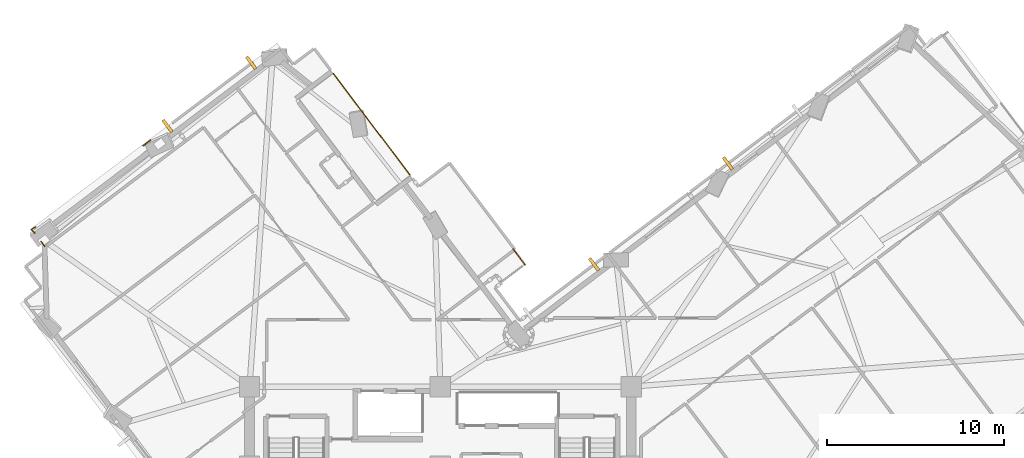
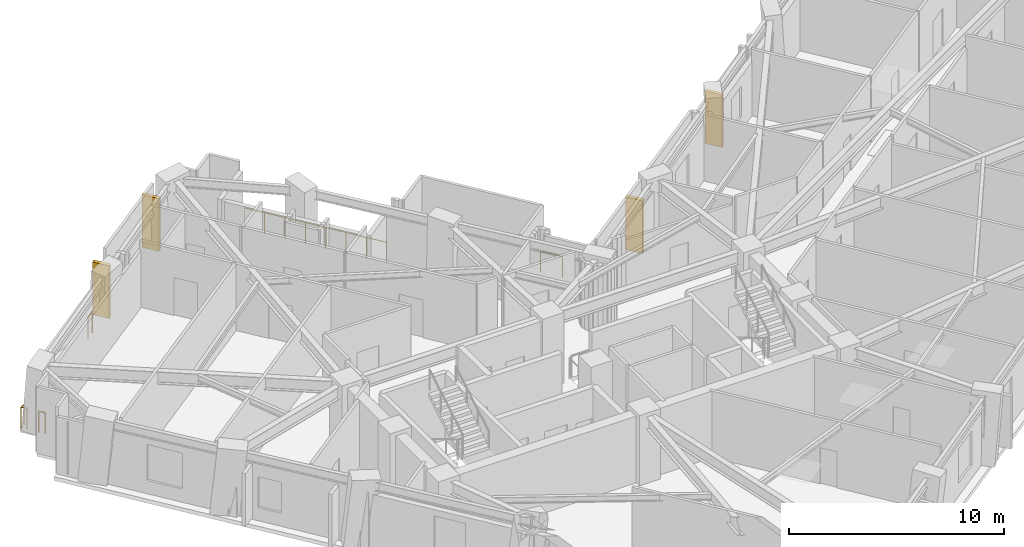
# One storey, part 14 of 15: 5 railings, 4 shading devices.
"""IFC4 building model written with IfcOpenShell, lengths in metres."""

from ifc_helpers import new_model, si_unit, direction, frame, origin, origin_2d, place, context, subcontext, project, spatial, rectangle, circle, extrude, material, layer, layer_set, type_object, element, save


model = new_model("IFC4")

# Units and contexts
model_context = context("Model", 3, precision=1e-05, world=origin(), true_north=direction((0.0, 1.0)))
body_context = subcontext(model_context, "Body", "Model", "MODEL_VIEW")
ifc_project = project(units=[si_unit("LENGTHUNIT", "METRE"), si_unit("AREAUNIT", "SQUARE_METRE"), si_unit("VOLUMEUNIT", "CUBIC_METRE"), si_unit("PLANEANGLEUNIT", "RADIAN"), si_unit("MASSUNIT", "GRAM", prefix="KILO")], contexts=[model_context])

# Site, building, storey
site_placement = place(None, origin())
site = spatial("IfcSite", under=ifc_project, at=site_placement, CompositionType="ELEMENT")
building_placement = place(site_placement, origin())
building = spatial("IfcBuilding", under=site, at=building_placement, Name="Gaonmaruhae Medical Tower", CompositionType="ELEMENT")
storey_placement = place(building_placement, frame((0.0, 0.0, 181.800048828125)))
storey = spatial("IfcBuildingStorey", under=building, at=storey_placement, Name="L43", CompositionType="ELEMENT", Elevation=181.800048828125)

# Railings
ifc_material_1 = material(Name="Stainless steel 316L and laminated safety glass", Category="steel")
ifc_layer = layer(ifc_material_1, 0.080078125)
ifc_layer_set = layer_set([ifc_layer], Name="Stainless steel 316L and laminated safety glass")
railing_type = type_object("IfcRailingType", Name="GD-120 Outdoor Terrace Safety Glass & Steel Balustrade", PredefinedType="BALUSTRADE", material=ifc_layer_set)
railing_1_placement = place(storey_placement, frame((23.083984375, 28.771728515625, 0.0)))
element("IfcRailing", 1, at=railing_1_placement, inside=storey, type_object=railing_type, Name="L43 Terrace Safety Guard RL-SLB-L43-TER-02", PredefinedType="BALUSTRADE", context=body_context, shape_type="SweptSolid", body=[
    extrude(circle(Radius=0.02392578125, at=origin_2d()), frame((0.0, 0.0, 1.17578125), z_axis=(-0.602503502296, 0.798116238227, 0.0), x_axis=(-0.798116238227, -0.602503502296, 0.0)), (0.0, 0.0, 1.0), 7.2001953125),
    extrude(circle(Radius=0.02099609375, at=origin_2d()), origin(), (0.0, 0.0, 1.0), 1.15185546875),
    extrude(circle(Radius=0.02099609375, at=origin_2d()), frame((-0.61962890625, 0.821044921875, 0.0)), (0.0, 0.0, 1.0), 1.15185546875),
    extrude(circle(Radius=0.02099609375, at=origin_2d()), frame((-1.239501953125, 1.641845703125, 0.0)), (0.0, 0.0, 1.0), 1.15185546875),
    extrude(circle(Radius=0.02099609375, at=origin_2d()), frame((-1.859130859375, 2.462890625, 0.0)), (0.0, 0.0, 1.0), 1.15185546875),
    extrude(circle(Radius=0.02099609375, at=origin_2d()), frame((-2.47900390625, 3.28369140625, 0.0)), (0.0, 0.0, 1.0), 1.15185546875),
    extrude(circle(Radius=0.02099609375, at=origin_2d()), frame((-3.0986328125, 4.104736328125, 0.0)), (0.0, 0.0, 1.0), 1.15185546875),
    extrude(circle(Radius=0.02099609375, at=origin_2d()), frame((-3.718505859375, 4.925537109375, 0.0)), (0.0, 0.0, 1.0), 1.15185546875),
    extrude(circle(Radius=0.02099609375, at=origin_2d()), frame((-4.338134765625, 5.74658203125, 0.0)), (0.0, 0.0, 1.0), 1.15185546875),
])
railing_2_placement = place(storey_placement, frame((2.404052734375, 24.74658203125, 0.0)))
element("IfcRailing", 2, at=railing_2_placement, inside=storey, type_object=railing_type, Name="L43 Perimeter Slab Edge Safety Balustrade 09", PredefinedType="BALUSTRADE", context=body_context, shape_type="SweptSolid", body=[
    extrude(circle(Radius=0.02392578125, at=origin_2d()), frame((0.0, 0.0, 1.17578125), z_axis=(-0.602388937429, 0.798202711135, 0.0), x_axis=(-0.798202711135, -0.602388937429, 0.0)), (0.0, 0.0, 1.0), 0.32666015625),
    extrude(circle(Radius=0.02099609375, at=origin_2d()), origin(), (0.0, 0.0, 1.0), 1.15185546875),
    extrude(circle(Radius=0.02099609375, at=origin_2d()), frame((-0.19677734375, 0.2607421875, 0.0)), (0.0, 0.0, 1.0), 1.15185546875),
])
railing_3_placement = place(storey_placement, frame((7.98876953125, 30.43701171875, 0.0)))
element("IfcRailing", 3, at=railing_3_placement, inside=storey, type_object=railing_type, Name="L43 Perimeter Slab Edge Safety Balustrade 10", PredefinedType="BALUSTRADE", context=body_context, shape_type="SweptSolid", body=[
    extrude(circle(Radius=0.02392578125, at=origin_2d()), frame((0.0, 0.0, 1.17578125), z_axis=(0.798069175806, 0.602565839248, 0.0), x_axis=(-0.602565839248, 0.798069175806, 0.0)), (0.0, 0.0, 1.0), 0.51708984375),
    extrude(circle(Radius=0.02099609375, at=origin_2d()), origin(), (0.0, 0.0, 1.0), 1.15185546875),
    extrude(circle(Radius=0.02099609375, at=origin_2d()), frame((0.41259765625, 0.3115234375, 0.0)), (0.0, 0.0, 1.0), 1.15185546875),
])
railing_4_placement = place(storey_placement, frame((28.9208984375, 24.574951171875, 0.0)))
element("IfcRailing", 4, at=railing_4_placement, inside=storey, type_object=railing_type, Name="L43 Perimeter Slab Edge Safety Balustrade 11", PredefinedType="BALUSTRADE", context=body_context, shape_type="SweptSolid", body=[
    extrude(circle(Radius=0.02392578125, at=origin_2d()), frame((0.0, 0.0, 1.17578125), z_axis=(0.602522869446, -0.798101617461, 0.0), x_axis=(0.798101617461, 0.602522869446, 0.0)), (0.0, 0.0, 1.0), 1.113525390625),
    extrude(circle(Radius=0.02099609375, at=origin_2d()), origin(), (0.0, 0.0, 1.0), 1.15185546875),
    extrude(circle(Radius=0.02099609375, at=origin_2d()), frame((0.6708984375, -0.888671875, 0.0)), (0.0, 0.0, 1.0), 1.15185546875),
])
railing_5_placement = place(storey_placement, frame((1.845703125, 25.486083984375, 0.0)))
element("IfcRailing", 5, at=railing_5_placement, inside=storey, type_object=railing_type, Name="L43 Perimeter Corner Safety Balustrade 15", PredefinedType="BALUSTRADE", context=body_context, shape_type="SweptSolid", body=[
    extrude(circle(Radius=0.02392578125, at=origin_2d()), frame((0.0, 0.0, 1.17578125), z_axis=(-0.695109948166, 0.718903442724, 0.0), x_axis=(-0.718903442724, -0.695109948166, 0.0)), (0.0, 0.0, 1.0), 0.287353515625),
    extrude(circle(Radius=0.02392578125, at=origin_2d()), frame((-0.19970703125, 0.20654296875, 1.17578125), z_axis=(0.865930570761, 0.500164219654, 0.0), x_axis=(-0.500164219654, 0.865930570761, 0.0)), (0.0, 0.0, 1.0), 0.287109375),
    extrude(circle(Radius=0.02099609375, at=origin_2d()), origin(), (0.0, 0.0, 1.0), 1.15185546875),
    extrude(circle(Radius=0.02099609375, at=origin_2d()), frame((-0.19970703125, 0.20654296875, 0.0)), (0.0, 0.0, 1.0), 1.15185546875),
    extrude(circle(Radius=0.02099609375, at=origin_2d()), frame((0.048828125, 0.35009765625, 0.0)), (0.0, 0.0, 1.0), 1.15185546875),
])

# Shading devices
ifc_material_2 = material(Name="Pigmented coral precast concrete C45/55", Category="concrete")
shading_device_type = type_object("IfcShadingDeviceType", Name="SD-FIN1 Tower Vertical Coral Precast Shading Fin", PredefinedType="USERDEFINED", material=ifc_material_2)
shading_device_placement = place(storey_placement, frame((41.07080078125, 29.43115234375, 0.0400390625), z_axis=(0.0, 0.0, 1.0), x_axis=(0.798099507399, 0.602525664424, 0.0)))
element("IfcShadingDevice", 6, at=shading_device_placement, inside=storey, type_object=shading_device_type, Name="L43 Vertical Coral Precast Shading Fin EN01", ObjectType="FIN", PredefinedType="USERDEFINED", context=body_context, shape_type="SweptSolid", body=[
    extrude(rectangle(XDim=0.179931640625, YDim=0.85009765625, at=origin_2d()), origin(), (0.0, 0.0, 1.0), 2.985107421875),
])
for number, where, z_axis, x_axis, name in (
    (7, (33.498291015625, 23.714599609375, 0.132568359375), (0.0, 0.0, 1.0), (0.798110023334, 0.602511734868, 0.0), "L43 Vertical Coral Precast Shading Fin EN03B"),
    (8, (9.355224609375, 31.550048828125, 0.132568359375), (0.0, 0.0, 1.0), (0.798120539026, 0.602497805129, 0.0), "L43 Vertical Coral Precast Shading Fin N01"),
    (9, (14.088623046875, 35.123291015625, 0.132568359375), (0.0, 0.0, 1.0), (0.798120539026, 0.602497805129, 0.0), "L43 Vertical Coral Precast Shading Fin N01B"),
):
    element("IfcShadingDevice", number, at=place(storey_placement, frame(where, z_axis=z_axis, x_axis=x_axis)), inside=storey, type_object=shading_device_type, Name=name, ObjectType="FIN", PredefinedType="USERDEFINED", context=body_context, shape_type="SweptSolid", body=[
        extrude(rectangle(XDim=0.179931640625, YDim=0.85009765625, at=origin_2d()), origin(), (0.0, 0.0, 1.0), 3.0),
    ])

save(model, "model.ifc")
